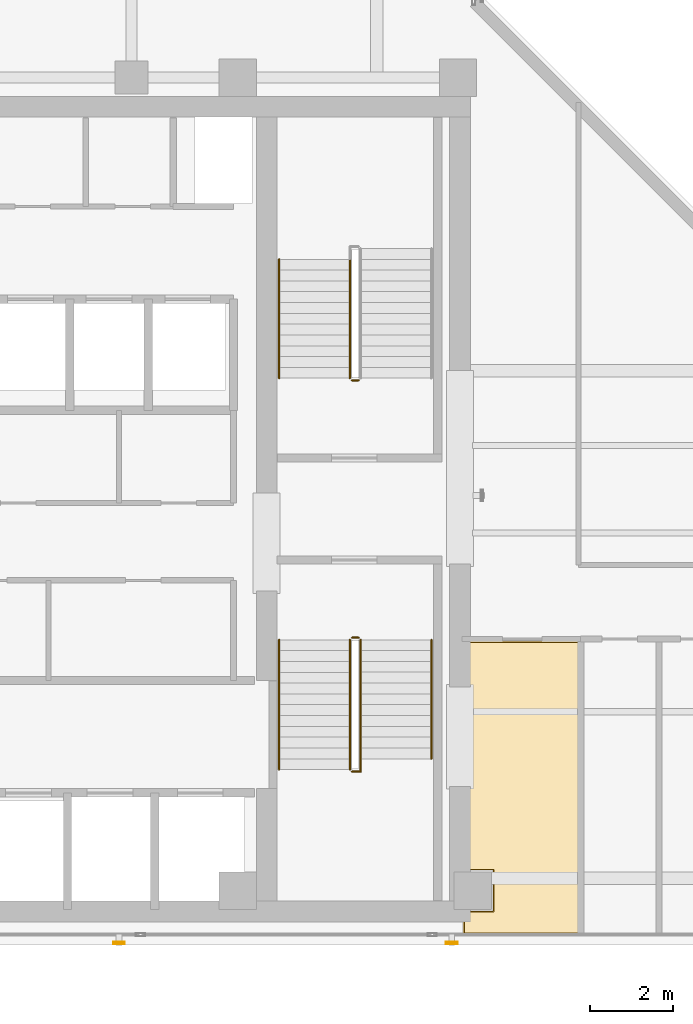
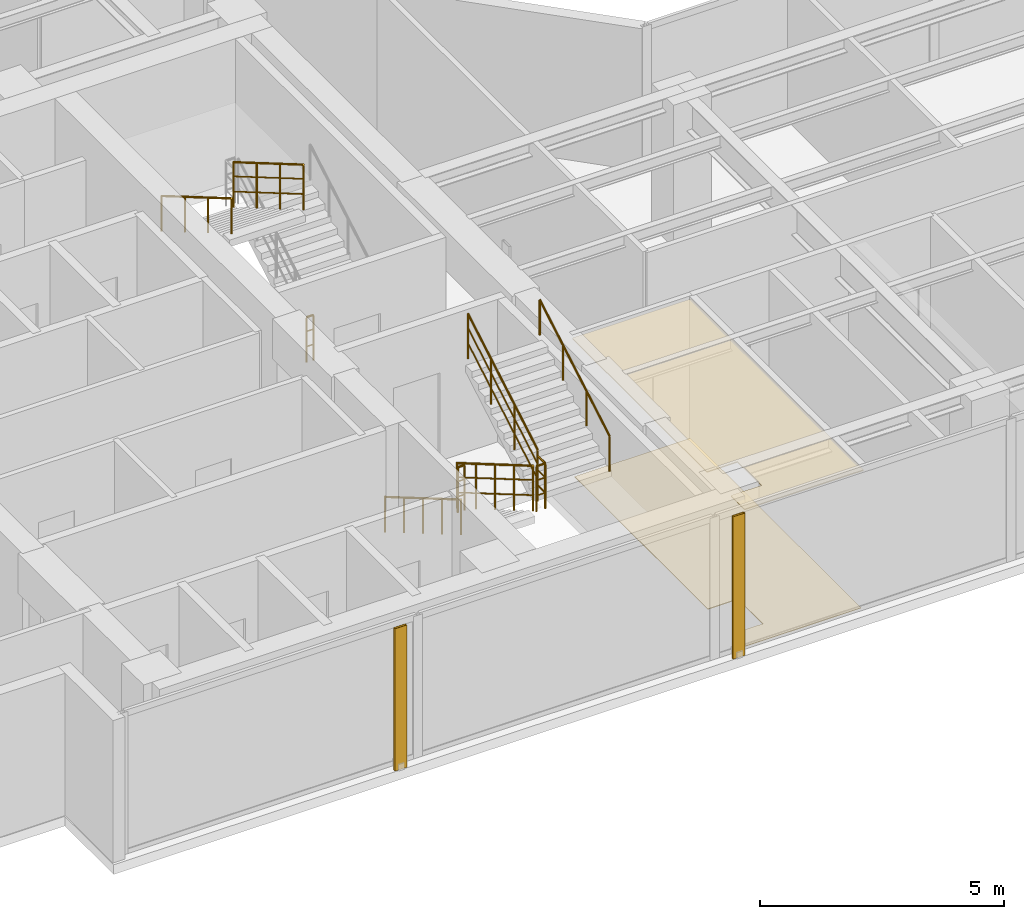
# One storey, part 19 of 22: 9 railings, 2 coverings, 2 shading devices.
"""IFC4 building model written with IfcOpenShell, lengths in metres."""

from ifc_helpers import new_model, si_unit, direction, frame, origin, origin_2d, place, context, subcontext, project, spatial, polyline, hollow_rectangle, circle, outline, extrude, material, layer, layer_set, material_profile, profile_set, type_object, element, save


model = new_model("IFC4")

# Units and contexts
model_context = context("Model", 3, precision=1e-05, world=origin(), true_north=direction((0.0, 1.0)))
body_context = subcontext(model_context, "Body", "Model", "MODEL_VIEW")
ifc_project = project(units=[si_unit("LENGTHUNIT", "METRE"), si_unit("AREAUNIT", "SQUARE_METRE"), si_unit("VOLUMEUNIT", "CUBIC_METRE"), si_unit("PLANEANGLEUNIT", "RADIAN"), si_unit("MASSUNIT", "GRAM", prefix="KILO")], contexts=[model_context])

# Site, building, storey
site_placement = place(None, origin())
site = spatial("IfcSite", under=ifc_project, at=site_placement, CompositionType="ELEMENT")
building_placement = place(site_placement, origin())
building = spatial("IfcBuilding", under=site, at=building_placement, Name="Kolvaren Waterfront Exchange", CompositionType="ELEMENT")
storey_placement = place(building_placement, frame((0.0, 0.0, 274.199951171875)))
storey = spatial("IfcBuildingStorey", under=building, at=storey_placement, Name="L70", CompositionType="ELEMENT", Elevation=274.199951171875)

# Covering
ifc_material_1 = material(Name="Mineral fibre acoustic ceiling tile")
ifc_layer_1 = layer(ifc_material_1, 0.02490234375, Name="Mineral fibre acoustic ceiling tile")
ifc_layer_set_1 = layer_set([ifc_layer_1], Name="Mineral fibre acoustic ceiling tile")
covering_type_1 = type_object("IfcCoveringType", Name="ARC-CEIL-ACOUSTIC-25", PredefinedType="CEILING", material=ifc_layer_set_1)
covering_1_placement = place(storey_placement, frame((0.0, 0.0, 3.445068359375)))
element("IfcCovering", 1, at=covering_1_placement, inside=storey, type_object=covering_type_1, Name="L70 acoustic suspended ceiling 2", PredefinedType="CEILING", context=body_context, shape_type="SweptSolid", body=[
    extrude(outline(polyline([(20.864990234375, 5.389892578125), (21.590087890625, 5.389892578125), (21.590087890625, 4.409912109375), (20.864990234375, 4.409912109375), (20.864990234375, 3.844970703125), (23.675048828125, 3.844970703125), (23.675048828125, 10.905029296875), (20.864990234375, 10.905029296875), (20.864990234375, 5.389892578125)])), origin(), (0.0, 0.0, 1.0), 0.02490234375),
])

# Shading devices
ifc_material_2 = material(Name="Anodised bronze aluminium 6063-T6", Category="aluminium")
ifc_material_profile = material_profile(ifc_material_2, hollow_rectangle(XDim=0.054931640625, YDim=0.280029296875, WallThickness=0.00439453125, at=origin_2d()), Name="BRZ-FIN-280x55x4.5")
ifc_profile_set = profile_set([ifc_material_profile], Name="Anodised bronze aluminium 6063-T6")
shading_device_type = type_object("IfcShadingDeviceType", Name="ARC-FIN-280", PredefinedType="USERDEFINED", material=ifc_profile_set)
for number, where, z_axis, x_axis, name in (
    (2, (12.60009765625, 3.639892578125, 0.0), (0.0, 0.0, 1.0), (0.0, -1.0, 0.0), "L70 anodised bronze solar shading fin FIN-L70-S1"),
    (3, (20.60009765625, 3.639892578125, 0.0), (0.0, 0.0, 1.0), (0.0, -1.0, 0.0), "L70 anodised bronze solar shading fin FIN-L70-S2"),
):
    element("IfcShadingDevice", number, at=place(storey_placement, frame(where, z_axis=z_axis, x_axis=x_axis)), inside=storey, type_object=shading_device_type, Name=name, ObjectType="SOLAR FIN", PredefinedType="USERDEFINED", context=body_context, shape_type="SweptSolid", body=[
        extrude(hollow_rectangle(XDim=0.054931640625, YDim=0.280029296875, WallThickness=0.00439453125, at=origin_2d()), origin(), (0.0, 0.0, 1.0), 3.56005859375),
    ])

# Covering
ifc_material_3 = material(Name="Slip-resistant porcelain tile")
ifc_layer_2 = layer(ifc_material_3, 0.014892578125, Name="Slip-resistant porcelain tile")
ifc_layer_set_2 = layer_set([ifc_layer_2], Name="Slip-resistant porcelain tile")
covering_type_2 = type_object("IfcCoveringType", Name="ARC-FLR-PORC-15", PredefinedType="FLOORING", material=ifc_layer_set_2)
covering_2_placement = place(storey_placement, origin())
element("IfcCovering", 4, at=covering_2_placement, inside=storey, type_object=covering_type_2, Name="L70 floor finish 2", PredefinedType="FLOORING", context=body_context, shape_type="SweptSolid", body=[
    extrude(outline(polyline([(20.89990234375, 4.389892578125), (20.89990234375, 3.8798828125), (23.639892578125, 3.8798828125), (23.639892578125, 10.8701171875), (20.89990234375, 10.8701171875), (20.89990234375, 5.409912109375), (21.610107421875, 5.409912109375), (21.610107421875, 4.389892578125), (20.89990234375, 4.389892578125)])), origin(), (0.0, 0.0, 1.0), 0.01513671875),
])

# Railings
ifc_material_4 = material(Name="Stainless steel 316", Category="steel")
railing_type_1 = type_object("IfcRailingType", Name="ARC-GUARD-STAIR", PredefinedType="GUARDRAIL", material=ifc_material_4)
railing_1_placement = place(storey_placement, frame((18.14990234375, 10.929931640625, 0.152099609375)))
element("IfcRailing", 5, at=railing_1_placement, inside=storey, type_object=railing_type_1, Name="L70 ST1 stair guard 1", PredefinedType="GUARDRAIL", context=body_context, shape_type="SweptSolid", body=[
    extrude(circle(Radius=0.02392578125, at=origin_2d()), frame((0.0, 0.0, 1.1259765625), z_axis=(0.0, -0.86329090724, 0.504706656858), x_axis=(1.0, 0.0, 0.0)), (0.0, 0.0, 1.0), 3.614013671875),
    extrude(circle(Radius=0.01611328125, at=origin_2d()), frame((0.0, 0.0, 0.390869140625), z_axis=(0.0, -0.86329090724, 0.504706656858), x_axis=(1.0, 0.0, 0.0)), (0.0, 0.0, 1.0), 3.614013671875),
    extrude(circle(Radius=0.01611328125, at=origin_2d()), frame((0.0, 0.0, 0.7705078125), z_axis=(0.0, -0.86329090724, 0.504706656858), x_axis=(1.0, 0.0, 0.0)), (0.0, 0.0, 1.0), 3.614013671875),
    extrude(circle(Radius=0.02099609375, at=origin_2d()), origin(), (0.0, 0.0, 1.0), 1.101806640625),
    extrude(circle(Radius=0.02099609375, at=origin_2d()), frame((0.0, -0.780029296875, 0.4560546875)), (0.0, 0.0, 1.0), 1.101806640625),
    extrude(circle(Radius=0.02099609375, at=origin_2d()), frame((0.0, -1.56005859375, 0.912109375)), (0.0, 0.0, 1.0), 1.101806640625),
    extrude(circle(Radius=0.02099609375, at=origin_2d()), frame((0.0, -2.33984375, 1.367919921875)), (0.0, 0.0, 1.0), 1.101806640625),
    extrude(circle(Radius=0.02099609375, at=origin_2d()), frame((0.0, -3.119873046875, 1.823974609375)), (0.0, 0.0, 1.0), 1.101806640625),
])
railing_2_placement = place(storey_placement, frame((18.199951171875, 7.760009765625, 1.97607421875)))
element("IfcRailing", 6, at=railing_2_placement, inside=storey, type_object=railing_type_1, Name="L70 ST1 stair guard 2", PredefinedType="GUARDRAIL", context=body_context, shape_type="SweptSolid", body=[
    extrude(circle(Radius=0.02392578125, at=origin_2d()), frame((0.0, 0.0, 1.1259765625), z_axis=(1.0, 0.0, 0.0), x_axis=(0.0, 1.0, 0.0)), (0.0, 0.0, 1.0), 0.2099609375),
    extrude(circle(Radius=0.01611328125, at=origin_2d()), frame((0.0, 0.0, 0.390869140625), z_axis=(1.0, 0.0, 0.0), x_axis=(0.0, 1.0, 0.0)), (0.0, 0.0, 1.0), 0.2099609375),
    extrude(circle(Radius=0.01611328125, at=origin_2d()), frame((0.0, 0.0, 0.7705078125), z_axis=(1.0, 0.0, 0.0), x_axis=(0.0, 1.0, 0.0)), (0.0, 0.0, 1.0), 0.2099609375),
    extrude(circle(Radius=0.02392578125, at=origin_2d()), frame((0.2099609375, 0.0, 1.1259765625), z_axis=(0.0, 1.0, 0.0), x_axis=(-1.0, 0.0, 0.0)), (0.0, 0.0, 1.0), 0.31005859375),
    extrude(circle(Radius=0.01611328125, at=origin_2d()), frame((0.2099609375, 0.0, 0.390869140625), z_axis=(0.0, 1.0, 0.0), x_axis=(-1.0, 0.0, 0.0)), (0.0, 0.0, 1.0), 0.31005859375),
    extrude(circle(Radius=0.01611328125, at=origin_2d()), frame((0.2099609375, 0.0, 0.7705078125), z_axis=(0.0, 1.0, 0.0), x_axis=(-1.0, 0.0, 0.0)), (0.0, 0.0, 1.0), 0.31005859375),
    extrude(circle(Radius=0.02099609375, at=origin_2d()), origin(), (0.0, 0.0, 1.0), 1.101806640625),
    extrude(circle(Radius=0.02099609375, at=origin_2d()), frame((0.2099609375, 0.0, 0.0)), (0.0, 0.0, 1.0), 1.101806640625),
    extrude(circle(Radius=0.02099609375, at=origin_2d()), frame((0.2099609375, 0.31005859375, 0.0)), (0.0, 0.0, 1.0), 1.101806640625),
])
railing_3_placement = place(storey_placement, frame((18.409912109375, 8.070068359375, 2.1279296875)))
element("IfcRailing", 7, at=railing_3_placement, inside=storey, type_object=railing_type_1, Name="L70 ST1 stair guard 3", PredefinedType="GUARDRAIL", context=body_context, shape_type="SweptSolid", body=[
    extrude(circle(Radius=0.02392578125, at=origin_2d()), frame((0.0, 0.0, 1.1259765625), z_axis=(0.0, 0.863270611444, 0.50474137082), x_axis=(-1.0, 0.0, 0.0)), (0.0, 0.0, 1.0), 3.312744140625),
    extrude(circle(Radius=0.01611328125, at=origin_2d()), frame((0.0, 0.0, 0.390869140625), z_axis=(0.0, 0.863270611444, 0.50474137082), x_axis=(-1.0, 0.0, 0.0)), (0.0, 0.0, 1.0), 3.312744140625),
    extrude(circle(Radius=0.01611328125, at=origin_2d()), frame((0.0, 0.0, 0.7705078125), z_axis=(0.0, 0.863270611444, 0.50474137082), x_axis=(-1.0, 0.0, 0.0)), (0.0, 0.0, 1.0), 3.312744140625),
    extrude(circle(Radius=0.02099609375, at=origin_2d()), origin(), (0.0, 0.0, 1.0), 1.101806640625),
    extrude(circle(Radius=0.02099609375, at=origin_2d()), frame((0.0, 0.953369140625, 0.557373046875)), (0.0, 0.0, 1.0), 1.101806640625),
    extrude(circle(Radius=0.02099609375, at=origin_2d()), frame((0.0, 1.906494140625, 1.11474609375)), (0.0, 0.0, 1.0), 1.101806640625),
    extrude(circle(Radius=0.02099609375, at=origin_2d()), frame((0.0, 2.85986328125, 1.672119140625)), (0.0, 0.0, 1.0), 1.101806640625),
])
railing_4_placement = place(storey_placement, frame((18.199951171875, 10.97998046875, 0.0)))
element("IfcRailing", 8, at=railing_4_placement, inside=storey, type_object=railing_type_1, Name="L70 ST1 stair guard 4", PredefinedType="GUARDRAIL", context=body_context, shape_type="SweptSolid", body=[
    extrude(circle(Radius=0.02392578125, at=origin_2d()), frame((0.0, 0.0, 1.1259765625), z_axis=(1.0, 0.0, 0.0), x_axis=(0.0, 1.0, 0.0)), (0.0, 0.0, 1.0), 0.16015625),
    extrude(circle(Radius=0.01611328125, at=origin_2d()), frame((0.0, 0.0, 0.390869140625), z_axis=(1.0, 0.0, 0.0), x_axis=(0.0, 1.0, 0.0)), (0.0, 0.0, 1.0), 0.16015625),
    extrude(circle(Radius=0.01611328125, at=origin_2d()), frame((0.0, 0.0, 0.7705078125), z_axis=(1.0, 0.0, 0.0), x_axis=(0.0, 1.0, 0.0)), (0.0, 0.0, 1.0), 0.16015625),
    extrude(circle(Radius=0.02099609375, at=origin_2d()), origin(), (0.0, 0.0, 1.0), 1.101806640625),
    extrude(circle(Radius=0.02099609375, at=origin_2d()), frame((0.16015625, 0.0, 0.0)), (0.0, 0.0, 1.0), 1.101806640625),
])
railing_5_placement = place(storey_placement, frame((18.14990234375, 20.080078125, 2.1279296875)))
element("IfcRailing", 9, at=railing_5_placement, inside=storey, type_object=railing_type_1, Name="L70 ST2 stair guard 3", PredefinedType="GUARDRAIL", context=body_context, shape_type="SweptSolid", body=[
    extrude(circle(Radius=0.02392578125, at=origin_2d()), frame((0.0, 0.0, 1.1259765625), z_axis=(0.0, -0.863289384635, 0.504709261235), x_axis=(1.0, 0.0, 0.0)), (0.0, 0.0, 1.0), 3.31298828125),
    extrude(circle(Radius=0.01611328125, at=origin_2d()), frame((0.0, 0.0, 0.390869140625), z_axis=(0.0, -0.863289384635, 0.504709261235), x_axis=(1.0, 0.0, 0.0)), (0.0, 0.0, 1.0), 3.31298828125),
    extrude(circle(Radius=0.01611328125, at=origin_2d()), frame((0.0, 0.0, 0.7705078125), z_axis=(0.0, -0.863289384635, 0.504709261235), x_axis=(1.0, 0.0, 0.0)), (0.0, 0.0, 1.0), 3.31298828125),
    extrude(circle(Radius=0.02099609375, at=origin_2d()), origin(), (0.0, 0.0, 1.0), 1.101806640625),
    extrude(circle(Radius=0.02099609375, at=origin_2d()), frame((0.0, -0.953369140625, 0.557373046875)), (0.0, 0.0, 1.0), 1.101806640625),
    extrude(circle(Radius=0.02099609375, at=origin_2d()), frame((0.0, -1.90673828125, 1.11474609375)), (0.0, 0.0, 1.0), 1.101806640625),
    extrude(circle(Radius=0.02099609375, at=origin_2d()), frame((0.0, -2.860107421875, 1.672119140625)), (0.0, 0.0, 1.0), 1.101806640625),
])
railing_6_placement = place(storey_placement, frame((18.360107421875, 17.169921875, 0.0)))
element("IfcRailing", 10, at=railing_6_placement, inside=storey, type_object=railing_type_1, Name="L70 ST2 stair guard 4", PredefinedType="GUARDRAIL", context=body_context, shape_type="SweptSolid", body=[
    extrude(circle(Radius=0.02392578125, at=origin_2d()), frame((0.0, 0.0, 1.1259765625), z_axis=(-1.0, 0.0, 0.0), x_axis=(0.0, -1.0, 0.0)), (0.0, 0.0, 1.0), 0.16015625),
    extrude(circle(Radius=0.01611328125, at=origin_2d()), frame((0.0, 0.0, 0.390869140625), z_axis=(-1.0, 0.0, 0.0), x_axis=(0.0, -1.0, 0.0)), (0.0, 0.0, 1.0), 0.16015625),
    extrude(circle(Radius=0.01611328125, at=origin_2d()), frame((0.0, 0.0, 0.7705078125), z_axis=(-1.0, 0.0, 0.0), x_axis=(0.0, -1.0, 0.0)), (0.0, 0.0, 1.0), 0.16015625),
    extrude(circle(Radius=0.02099609375, at=origin_2d()), origin(), (0.0, 0.0, 1.0), 1.101806640625),
    extrude(circle(Radius=0.02099609375, at=origin_2d()), frame((-0.16015625, 0.0, 0.0)), (0.0, 0.0, 1.0), 1.101806640625),
])
railing_type_2 = type_object("IfcRailingType", Name="ARC-HANDRAIL-900", PredefinedType="HANDRAIL", material=ifc_material_4)
railing_7_placement = place(storey_placement, frame((16.449951171875, 10.929931640625, 0.152099609375)))
element("IfcRailing", 11, at=railing_7_placement, inside=storey, type_object=railing_type_2, Name="L70 ST1 stair handrail 1", PredefinedType="HANDRAIL", context=body_context, shape_type="SweptSolid", body=[
    extrude(circle(Radius=0.02392578125, at=origin_2d()), frame((0.0, 0.0, 0.8759765625), z_axis=(0.0, -0.86329090724, 0.504706656858), x_axis=(1.0, 0.0, 0.0)), (0.0, 0.0, 1.0), 3.614013671875),
    extrude(circle(Radius=0.02099609375, at=origin_2d()), origin(), (0.0, 0.0, 1.0), 0.851806640625),
    extrude(circle(Radius=0.02099609375, at=origin_2d()), frame((0.0, -0.780029296875, 0.4560546875)), (0.0, 0.0, 1.0), 0.851806640625),
    extrude(circle(Radius=0.02099609375, at=origin_2d()), frame((0.0, -1.56005859375, 0.912109375)), (0.0, 0.0, 1.0), 0.851806640625),
    extrude(circle(Radius=0.02099609375, at=origin_2d()), frame((0.0, -2.33984375, 1.367919921875)), (0.0, 0.0, 1.0), 0.851806640625),
    extrude(circle(Radius=0.02099609375, at=origin_2d()), frame((0.0, -3.119873046875, 1.823974609375)), (0.0, 0.0, 1.0), 0.851806640625),
])
railing_8_placement = place(storey_placement, frame((20.110107421875, 8.070068359375, 2.1279296875)))
element("IfcRailing", 12, at=railing_8_placement, inside=storey, type_object=railing_type_2, Name="L70 ST1 stair handrail 2", PredefinedType="HANDRAIL", context=body_context, shape_type="SweptSolid", body=[
    extrude(circle(Radius=0.02392578125, at=origin_2d()), frame((0.0, 0.0, 0.8759765625), z_axis=(0.0, 0.863270611444, 0.50474137082), x_axis=(-1.0, 0.0, 0.0)), (0.0, 0.0, 1.0), 3.312744140625),
    extrude(circle(Radius=0.02099609375, at=origin_2d()), origin(), (0.0, 0.0, 1.0), 0.851806640625),
    extrude(circle(Radius=0.02099609375, at=origin_2d()), frame((0.0, 0.953369140625, 0.557373046875)), (0.0, 0.0, 1.0), 0.851806640625),
    extrude(circle(Radius=0.02099609375, at=origin_2d()), frame((0.0, 1.906494140625, 1.11474609375)), (0.0, 0.0, 1.0), 0.851806640625),
    extrude(circle(Radius=0.02099609375, at=origin_2d()), frame((0.0, 2.85986328125, 1.672119140625)), (0.0, 0.0, 1.0), 0.851806640625),
])
railing_9_placement = place(storey_placement, frame((16.449951171875, 20.080078125, 2.1279296875)))
element("IfcRailing", 13, at=railing_9_placement, inside=storey, type_object=railing_type_2, Name="L70 ST2 stair handrail 2", PredefinedType="HANDRAIL", context=body_context, shape_type="SweptSolid", body=[
    extrude(circle(Radius=0.02392578125, at=origin_2d()), frame((0.0, 0.0, 0.8759765625), z_axis=(0.0, -0.863289384635, 0.504709261235), x_axis=(1.0, 0.0, 0.0)), (0.0, 0.0, 1.0), 3.31298828125),
    extrude(circle(Radius=0.02099609375, at=origin_2d()), origin(), (0.0, 0.0, 1.0), 0.851806640625),
    extrude(circle(Radius=0.02099609375, at=origin_2d()), frame((0.0, -0.953369140625, 0.557373046875)), (0.0, 0.0, 1.0), 0.851806640625),
    extrude(circle(Radius=0.02099609375, at=origin_2d()), frame((0.0, -1.90673828125, 1.11474609375)), (0.0, 0.0, 1.0), 0.851806640625),
    extrude(circle(Radius=0.02099609375, at=origin_2d()), frame((0.0, -2.860107421875, 1.672119140625)), (0.0, 0.0, 1.0), 0.851806640625),
])

save(model, "model.ifc")
